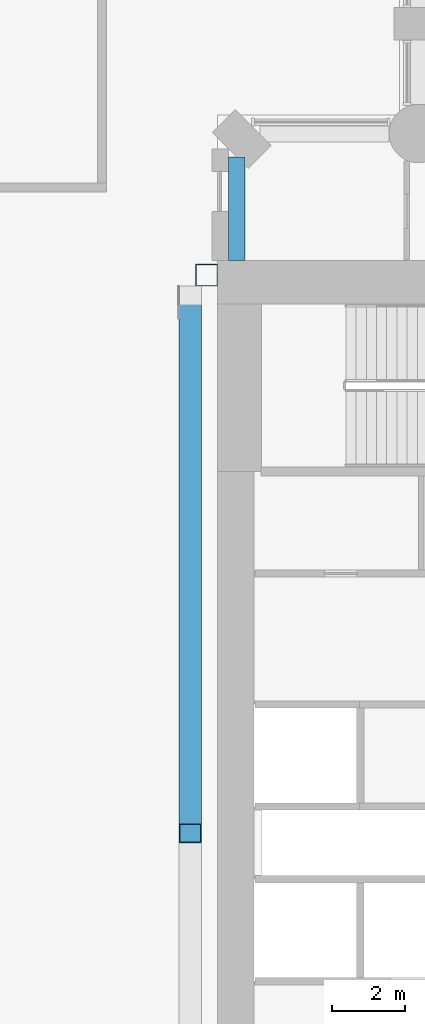
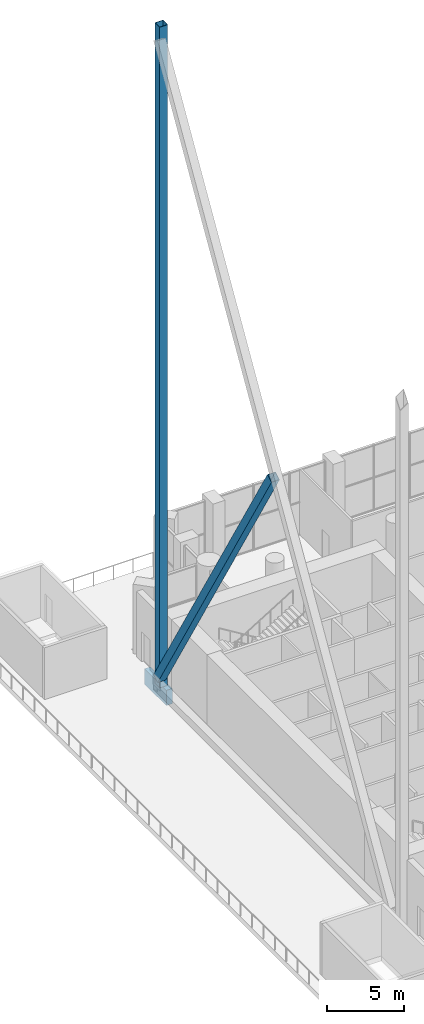
# One storey, part 8 of 26: 2 members, 1 beam.
"""IFC4 building model written with IfcOpenShell, lengths in metres."""

from ifc_helpers import new_model, si_unit, direction, frame, origin, origin_2d, place, context, subcontext, project, spatial, rectangle, hollow_rectangle, extrude, material, material_profile, profile_set, type_object, element, save


model = new_model("IFC4")

# Units and contexts
model_context = context("Model", 3, precision=1e-05, world=origin(), true_north=direction((0.0, 1.0)))
body_context = subcontext(model_context, "Body", "Model", "MODEL_VIEW")
ifc_project = project(units=[si_unit("LENGTHUNIT", "METRE"), si_unit("AREAUNIT", "SQUARE_METRE"), si_unit("VOLUMEUNIT", "CUBIC_METRE"), si_unit("PLANEANGLEUNIT", "RADIAN"), si_unit("MASSUNIT", "GRAM", prefix="KILO")], contexts=[model_context])

# Site, building, storey
site_placement = place(None, origin())
site = spatial("IfcSite", under=ifc_project, at=site_placement, CompositionType="ELEMENT")
building_placement = place(site_placement, origin())
building = spatial("IfcBuilding", under=site, at=building_placement, Name="Cypress Arch Tower", CompositionType="ELEMENT")
storey_placement = place(building_placement, frame((0.0, 0.0, 50.0)))
storey = spatial("IfcBuildingStorey", under=building, at=storey_placement, Name="L06", CompositionType="ELEMENT", Elevation=50.0)

# Beam
ifc_material_1 = material(Name="Concrete C50/60", Category="concrete")
ifc_material_profile_1 = material_profile(ifc_material_1, rectangle(XDim=0.449951171875, YDim=1.199951171875, at=origin_2d()), Name="RC 450x1200")
ifc_profile_set_1 = profile_set([ifc_material_profile_1], Name="Concrete C50/60")
beam_type = type_object("IfcBeamType", Name="Spandrel beam RC 450x1200 Concrete C50/60", PredefinedType="SPANDREL", material=ifc_profile_set_1)
beam_placement = place(storey_placement, frame((-29.47509765625, 18.838623046875, -1.550048828125), z_axis=(0.0, -1.0, 0.0), x_axis=(1.0, 0.0, 0.0)))
element("IfcBeam", 1, at=beam_placement, inside=storey, type_object=beam_type, Name="Spandrel beam L06 BA00-0", PredefinedType="SPANDREL", context=body_context, shape_type="SweptSolid", body=[
    extrude(rectangle(XDim=0.449951171875, YDim=1.199951171875, at=origin_2d()), origin(), (0.0, 0.0, 1.0), 2.838623046875),
])

# Members
ifc_material_2 = material(Name="Steel ASTM A501 Grade B", Category="steel")
ifc_material_profile_2 = material_profile(ifc_material_2, hollow_rectangle(XDim=0.609619140625, YDim=0.609619140625, WallThickness=0.023681640625, at=origin_2d()), Name="HSS 24x24x1")
ifc_profile_set_2 = profile_set([ifc_material_profile_2], Name="Steel ASTM A501 Grade B")
member_type_1 = type_object("IfcMemberType", Name="West bracing diagonal HSS 24x24x1 Steel ASTM A501 Grade B", PredefinedType="BRACE", material=ifc_profile_set_2)
member_1_placement = place(storey_placement, frame((-30.7548828125, 15.03369140625, 1.048583984375), z_axis=(0.0, -0.511521313348, 0.859270589506), x_axis=(1.0, 0.0, 0.0)))
element("IfcMember", 2, at=member_1_placement, inside=storey, type_object=member_type_1, Name="West bracing diagonal 1C", PredefinedType="BRACE", context=body_context, shape_type="SweptSolid", body=[
    extrude(hollow_rectangle(XDim=0.609619140625, YDim=0.609619140625, WallThickness=0.023681640625, at=origin_2d()), origin(), (0.0, 0.0, 1.0), 28.87841796875),
])
ifc_material_3 = material(Name="Steel ASTM A501 Grade B", Category="steel")
ifc_material_profile_3 = material_profile(ifc_material_3, hollow_rectangle(XDim=0.609619140625, YDim=0.609619140625, WallThickness=0.023681640625, at=origin_2d()), Name="HSS 24x24x1")
ifc_profile_set_3 = profile_set([ifc_material_profile_3], Name="Steel ASTM A501 Grade B")
member_type_2 = type_object("IfcMemberType", Name="West bracing post HSS 24x24x1 Steel ASTM A501 Grade B", PredefinedType="POST", material=ifc_profile_set_3)
member_2_placement = place(storey_placement, frame((-30.3046875, 15.60009765625, 0.0), z_axis=(0.0, 0.0, 1.0), x_axis=(1.0, 0.0, 0.0)))
element("IfcMember", 3, at=member_2_placement, inside=storey, type_object=member_type_2, Name="West bracing post 1N", PredefinedType="POST", context=body_context, shape_type="SweptSolid", body=[
    extrude(hollow_rectangle(XDim=0.609619140625, YDim=0.609619140625, WallThickness=0.023681640625, at=origin_2d()), origin(), (0.0, 0.0, 1.0), 52.300048828125),
])

save(model, "model.ifc")
